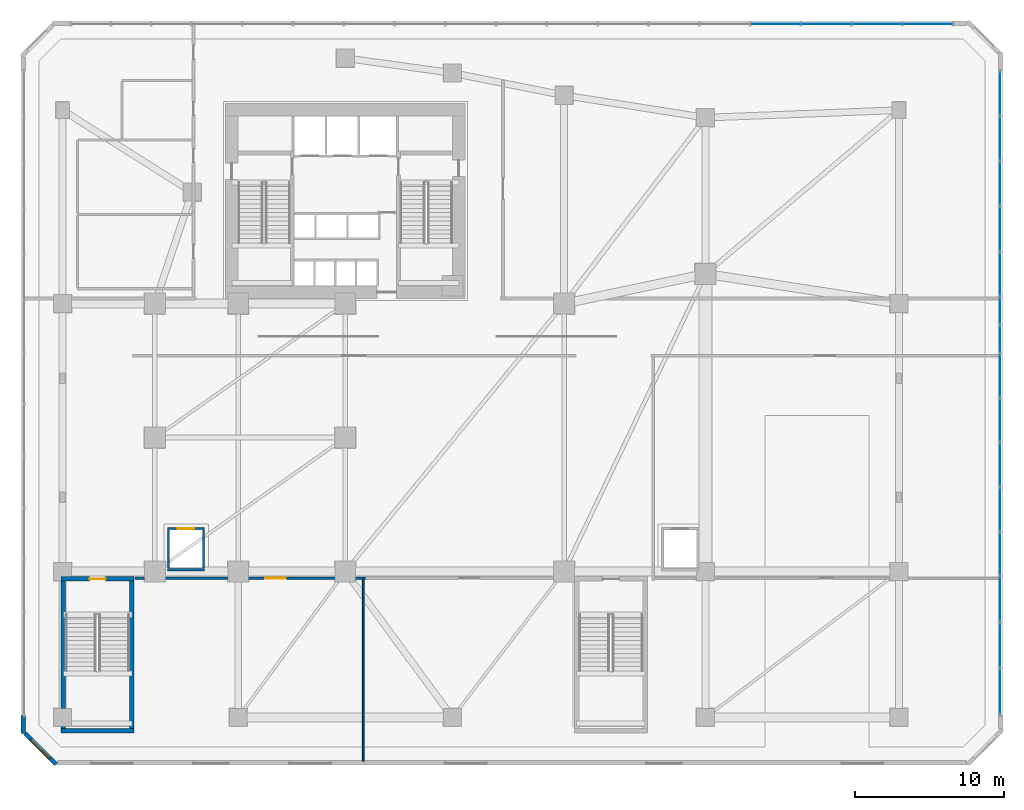
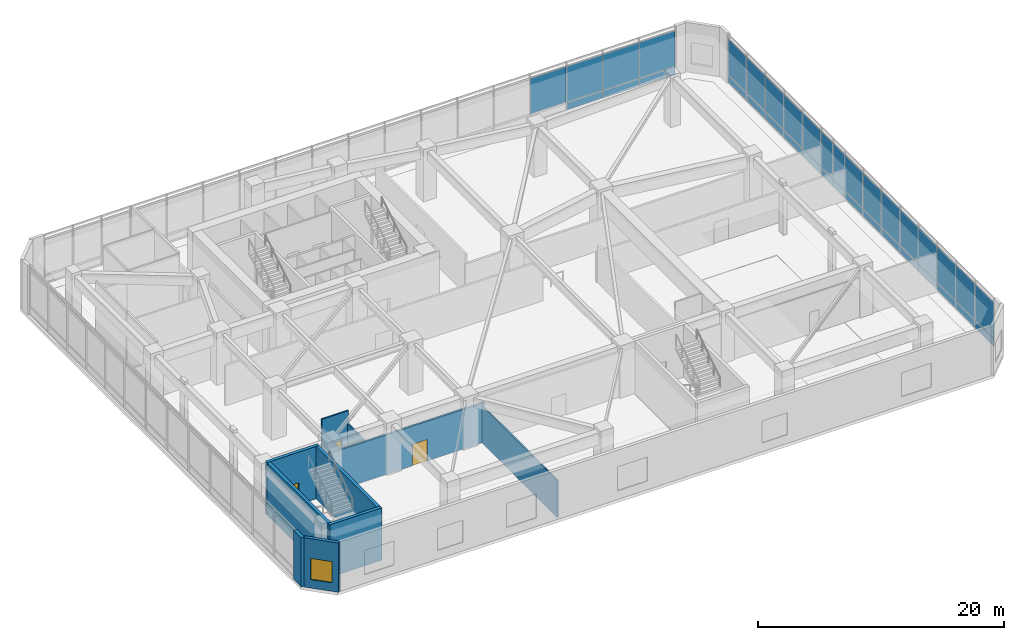
# One storey, part 9 of 16: 37 plates, 12 walls, 3 doors, 1 window, 4 openings, 2 elements without a shape of their own.
"""IFC4 building model written with IfcOpenShell, lengths in metres."""

from ifc_helpers import new_model, si_unit, direction, frame, frame_2d, origin, place, context, subcontext, project, spatial, rectangle, extrude, source, transform, mapped, material, layer, layer_set, type_object, element, fill, aggregate, save


model = new_model("IFC4")

# Units and contexts
model_context = context("Model", 3, precision=1e-05, world=origin(), true_north=direction((0.0, 1.0)))
body_context = subcontext(model_context, "Body", "Model", "MODEL_VIEW")
ifc_project = project(units=[si_unit("LENGTHUNIT", "METRE"), si_unit("AREAUNIT", "SQUARE_METRE"), si_unit("VOLUMEUNIT", "CUBIC_METRE"), si_unit("PLANEANGLEUNIT", "RADIAN"), si_unit("MASSUNIT", "GRAM", prefix="KILO")], contexts=[model_context])

# Site, building, storey
site_placement = place(None, origin())
site = spatial("IfcSite", under=ifc_project, at=site_placement, CompositionType="ELEMENT")
building_placement = place(site_placement, origin())
building = spatial("IfcBuilding", under=site, at=building_placement, Name="Calvemar Wedge Station Tower", CompositionType="ELEMENT")
storey_placement = place(building_placement, frame((0.0, 0.0, 6.0)))
storey = spatial("IfcBuildingStorey", under=building, at=storey_placement, Name="L02", CompositionType="ELEMENT", Elevation=6.0)

# Curtain wall, plates
ifc_material_1 = material(Name="Anodised aluminium 6063-T6", Category="aluminium")
curtain_wall_type = type_object("IfcCurtainWallType", Name="CW5", PredefinedType="NOTDEFINED", material=ifc_material_1)
curtain_wall_1_placement = place(storey_placement, origin())
curtain_wall_1 = element("IfcCurtainWall", 1, at=curtain_wall_1_placement, inside=storey, type_object=curtain_wall_type, Name="Storey L02 CW5 Recessed Unitised Curtain Wall 2", PredefinedType="NOTDEFINED")
ifc_material_2 = material(Name="Low-E laminated insulated glass", Category="glass")
ifc_layer_1 = layer(ifc_material_2, 0.028076171875)
ifc_layer_set_1 = layer_set([ifc_layer_1], Name="Low-E laminated insulated glass")
plate_type_1 = type_object("IfcPlateType", Name="CW5-GLZ", PredefinedType="CURTAIN_PANEL", material=ifc_layer_set_1)
plate_1_placement = place(storey_placement, frame((67.7900390625, 5.380126953125, 0.8701171875), z_axis=(0.0, 0.0, 1.0), x_axis=(0.0, 1.0, 0.0)))
plate_1 = element("IfcPlate", 2, at=plate_1_placement, type_object=plate_type_1, Name="CW5 vision glass panel 1", PredefinedType="CURTAIN_PANEL", context=body_context, shape_type="SweptSolid", body=[
    extrude(rectangle(XDim=3.0732421875, YDim=0.028076171875, at=frame_2d((1.53662109375, 0.0))), origin(), (0.0, 0.0, 1.0), 3.559814453125),
])
plate_2_placement = place(storey_placement, frame((67.7900390625, 8.489501953125, 0.8701171875), z_axis=(0.0, 0.0, 1.0), x_axis=(0.0, 1.0, 0.0)))
plate_2 = element("IfcPlate", 3, at=plate_2_placement, type_object=plate_type_1, Name="CW5 vision glass panel 2", PredefinedType="CURTAIN_PANEL", context=body_context, shape_type="SweptSolid", body=[
    extrude(rectangle(XDim=3.0732421875, YDim=0.028076171875, at=frame_2d((1.53662109375, 0.0))), origin(), (0.0, 0.0, 1.0), 3.559814453125),
])
plate_3_placement = place(storey_placement, frame((67.7900390625, 11.5986328125, 0.8701171875), z_axis=(0.0, 0.0, 1.0), x_axis=(0.0, 1.0, 0.0)))
plate_3 = element("IfcPlate", 4, at=plate_3_placement, type_object=plate_type_1, Name="CW5 vision glass panel 3", PredefinedType="CURTAIN_PANEL", context=body_context, shape_type="SweptSolid", body=[
    extrude(rectangle(XDim=3.073486328125, YDim=0.028076171875, at=frame_2d((1.53662109375, 0.0))), origin(), (0.0, 0.0, 1.0), 3.559814453125),
])
plate_4_placement = place(storey_placement, frame((67.7900390625, 14.7080078125, 0.8701171875), z_axis=(0.0, 0.0, 1.0), x_axis=(0.0, 1.0, 0.0)))
plate_4 = element("IfcPlate", 5, at=plate_4_placement, type_object=plate_type_1, Name="CW5 vision glass panel 4", PredefinedType="CURTAIN_PANEL", context=body_context, shape_type="SweptSolid", body=[
    extrude(rectangle(XDim=2.9541015625, YDim=0.028076171875, at=frame_2d((1.47705078125, 0.0))), origin(), (0.0, 0.0, 1.0), 3.559814453125),
])
plate_5_placement = place(storey_placement, frame((67.7900390625, 17.697998046875, 0.8701171875), z_axis=(0.0, 0.0, 1.0), x_axis=(0.0, 1.0, 0.0)))
plate_5 = element("IfcPlate", 6, at=plate_5_placement, type_object=plate_type_1, Name="CW5 vision glass panel 5", PredefinedType="CURTAIN_PANEL", context=body_context, shape_type="SweptSolid", body=[
    extrude(rectangle(XDim=2.9541015625, YDim=0.028076171875, at=frame_2d((1.47705078125, 0.0))), origin(), (0.0, 0.0, 1.0), 3.559814453125),
])
plate_6_placement = place(storey_placement, frame((67.7900390625, 20.68798828125, 0.8701171875), z_axis=(0.0, 0.0, 1.0), x_axis=(0.0, 1.0, 0.0)))
plate_6 = element("IfcPlate", 7, at=plate_6_placement, type_object=plate_type_1, Name="CW5 vision glass panel 6", PredefinedType="CURTAIN_PANEL", context=body_context, shape_type="SweptSolid", body=[
    extrude(rectangle(XDim=2.9541015625, YDim=0.028076171875, at=frame_2d((1.47705078125, 0.0))), origin(), (0.0, 0.0, 1.0), 3.559814453125),
])
plate_7_placement = place(storey_placement, frame((67.7900390625, 23.677978515625, 0.8701171875), z_axis=(0.0, 0.0, 1.0), x_axis=(0.0, 1.0, 0.0)))
plate_7 = element("IfcPlate", 8, at=plate_7_placement, type_object=plate_type_1, Name="CW5 vision glass panel 7", PredefinedType="CURTAIN_PANEL", context=body_context, shape_type="SweptSolid", body=[
    extrude(rectangle(XDim=2.9541015625, YDim=0.028076171875, at=frame_2d((1.47705078125, 0.0))), origin(), (0.0, 0.0, 1.0), 3.559814453125),
])
plate_8_placement = place(storey_placement, frame((67.7900390625, 26.66796875, 0.8701171875), z_axis=(0.0, 0.0, 1.0), x_axis=(0.0, 1.0, 0.0)))
plate_8 = element("IfcPlate", 9, at=plate_8_placement, type_object=plate_type_1, Name="CW5 vision glass panel 8", PredefinedType="CURTAIN_PANEL", context=body_context, shape_type="SweptSolid", body=[
    extrude(rectangle(XDim=2.9541015625, YDim=0.028076171875, at=frame_2d((1.47705078125, 0.0))), origin(), (0.0, 0.0, 1.0), 3.559814453125),
])
plate_9_placement = place(storey_placement, frame((67.7900390625, 29.657958984375, 0.8701171875), z_axis=(0.0, 0.0, 1.0), x_axis=(0.0, 1.0, 0.0)))
plate_9 = element("IfcPlate", 10, at=plate_9_placement, type_object=plate_type_1, Name="CW5 vision glass panel 9", PredefinedType="CURTAIN_PANEL", context=body_context, shape_type="SweptSolid", body=[
    extrude(rectangle(XDim=1.88916015625, YDim=0.028076171875, at=frame_2d((0.944580078125, 0.0))), origin(), (0.0, 0.0, 1.0), 3.559814453125),
])
plate_10_placement = place(storey_placement, frame((67.7900390625, 31.5830078125, 0.8701171875), z_axis=(0.0, 0.0, 1.0), x_axis=(0.0, 1.0, 0.0)))
plate_10 = element("IfcPlate", 11, at=plate_10_placement, type_object=plate_type_1, Name="CW5 vision glass panel 10", PredefinedType="CURTAIN_PANEL", context=body_context, shape_type="SweptSolid", body=[
    extrude(rectangle(XDim=1.888916015625, YDim=0.028076171875, at=frame_2d((0.9443359375, 0.0))), origin(), (0.0, 0.0, 1.0), 3.559814453125),
])
plate_11_placement = place(storey_placement, frame((67.7900390625, 33.508056640625, 0.8701171875), z_axis=(0.0, 0.0, 1.0), x_axis=(0.0, 1.0, 0.0)))
plate_11 = element("IfcPlate", 12, at=plate_11_placement, type_object=plate_type_1, Name="CW5 vision glass panel 11", PredefinedType="CURTAIN_PANEL", context=body_context, shape_type="SweptSolid", body=[
    extrude(rectangle(XDim=2.99365234375, YDim=0.028076171875, at=frame_2d((1.496826171875, 0.0))), origin(), (0.0, 0.0, 1.0), 3.559814453125),
])
plate_12_placement = place(storey_placement, frame((67.7900390625, 36.53759765625, 0.8701171875), z_axis=(0.0, 0.0, 1.0), x_axis=(0.0, 1.0, 0.0)))
plate_12 = element("IfcPlate", 13, at=plate_12_placement, type_object=plate_type_1, Name="CW5 vision glass panel 12", PredefinedType="CURTAIN_PANEL", context=body_context, shape_type="SweptSolid", body=[
    extrude(rectangle(XDim=2.99365234375, YDim=0.028076171875, at=frame_2d((1.496826171875, 0.0))), origin(), (0.0, 0.0, 1.0), 3.559814453125),
])
plate_13_placement = place(storey_placement, frame((67.7900390625, 39.567138671875, 0.8701171875), z_axis=(0.0, 0.0, 1.0), x_axis=(0.0, 1.0, 0.0)))
plate_13 = element("IfcPlate", 14, at=plate_13_placement, type_object=plate_type_1, Name="CW5 vision glass panel 13", PredefinedType="CURTAIN_PANEL", context=body_context, shape_type="SweptSolid", body=[
    extrude(rectangle(XDim=2.99365234375, YDim=0.028076171875, at=frame_2d((1.496826171875, 0.0))), origin(), (0.0, 0.0, 1.0), 3.559814453125),
])
plate_14_placement = place(storey_placement, frame((67.7900390625, 42.5966796875, 0.8701171875), z_axis=(0.0, 0.0, 1.0), x_axis=(0.0, 1.0, 0.0)))
plate_14 = element("IfcPlate", 15, at=plate_14_placement, type_object=plate_type_1, Name="CW5 vision glass panel 14", PredefinedType="CURTAIN_PANEL", context=body_context, shape_type="SweptSolid", body=[
    extrude(rectangle(XDim=2.99365234375, YDim=0.028076171875, at=frame_2d((1.496826171875, 0.0))), origin(), (0.0, 0.0, 1.0), 3.559814453125),
])
plate_15_placement = place(storey_placement, frame((67.7900390625, 45.626220703125, 0.8701171875), z_axis=(0.0, 0.0, 1.0), x_axis=(0.0, 1.0, 0.0)))
plate_15 = element("IfcPlate", 16, at=plate_15_placement, type_object=plate_type_1, Name="CW5 vision glass panel 15", PredefinedType="CURTAIN_PANEL", context=body_context, shape_type="SweptSolid", body=[
    extrude(rectangle(XDim=2.99365234375, YDim=0.028076171875, at=frame_2d((1.496826171875, 0.0))), origin(), (0.0, 0.0, 1.0), 3.559814453125),
])

curtain_wall_2_placement = place(storey_placement, origin())
curtain_wall_2 = element("IfcCurtainWall", 17, at=curtain_wall_2_placement, inside=storey, type_object=curtain_wall_type, Name="Storey L02 CW5 Recessed Unitised Curtain Wall 4", PredefinedType="NOTDEFINED")
plate_16_placement = place(storey_placement, frame((64.619873046875, 51.7900390625, 0.8701171875), z_axis=(0.0, 0.0, 1.0), x_axis=(-1.0, 0.0, 0.0)))
plate_16 = element("IfcPlate", 18, at=plate_16_placement, type_object=plate_type_1, Name="CW5 vision glass panel 1", PredefinedType="CURTAIN_PANEL", context=body_context, shape_type="SweptSolid", body=[
    extrude(rectangle(XDim=3.3759765625, YDim=0.028076171875, at=frame_2d((1.68798828125, 0.0))), origin(), (0.0, 0.0, 1.0), 3.559814453125),
])
plate_17_placement = place(storey_placement, frame((61.2080078125, 51.7900390625, 0.8701171875), z_axis=(0.0, 0.0, 1.0), x_axis=(-1.0, 0.0, 0.0)))
plate_17 = element("IfcPlate", 19, at=plate_17_placement, type_object=plate_type_1, Name="CW5 vision glass panel 2", PredefinedType="CURTAIN_PANEL", context=body_context, shape_type="SweptSolid", body=[
    extrude(rectangle(XDim=3.375732421875, YDim=0.028076171875, at=frame_2d((1.68798828125, 0.0))), origin(), (0.0, 0.0, 1.0), 3.559814453125),
])
plate_18_placement = place(storey_placement, frame((57.796142578125, 51.7900390625, 0.8701171875), z_axis=(0.0, 0.0, 1.0), x_axis=(-1.0, 0.0, 0.0)))
plate_18 = element("IfcPlate", 20, at=plate_18_placement, type_object=plate_type_1, Name="CW5 vision glass panel 3", PredefinedType="CURTAIN_PANEL", context=body_context, shape_type="SweptSolid", body=[
    extrude(rectangle(XDim=3.375732421875, YDim=0.028076171875, at=frame_2d((1.68798828125, 0.0))), origin(), (0.0, 0.0, 1.0), 3.559814453125),
])
plate_19_placement = place(storey_placement, frame((54.38427734375, 51.7900390625, 0.8701171875), z_axis=(0.0, 0.0, 1.0), x_axis=(-1.0, 0.0, 0.0)))
plate_19 = element("IfcPlate", 21, at=plate_19_placement, type_object=plate_type_1, Name="CW5 vision glass panel 4", PredefinedType="CURTAIN_PANEL", context=body_context, shape_type="SweptSolid", body=[
    extrude(rectangle(XDim=3.375732421875, YDim=0.028076171875, at=frame_2d((1.68798828125, 0.0))), origin(), (0.0, 0.0, 1.0), 3.559814453125),
])

# Plate
ifc_material_3 = material(Name="Oxidized bronze aluminium spandrel panel 5005-H24", Category="aluminium")
ifc_layer_2 = layer(ifc_material_3, 0.0400390625)
ifc_layer_set_2 = layer_set([ifc_layer_2], Name="Oxidized bronze aluminium spandrel panel 5005-H24")
plate_type_2 = type_object("IfcPlateType", Name="CW5-SPD", PredefinedType="SHEET", material=ifc_layer_set_2)
plate_20_placement = place(storey_placement, frame((67.7900390625, 5.380126953125, 0.080078125), z_axis=(0.0, 0.0, 1.0), x_axis=(0.0, 1.0, 0.0)))
plate_20 = element("IfcPlate", 22, at=plate_20_placement, type_object=plate_type_2, Name="CW5 bronze spandrel panel 1", PredefinedType="SHEET", context=body_context, shape_type="SweptSolid", body=[
    extrude(rectangle(XDim=3.0732421875, YDim=0.0400390625, at=frame_2d((1.53662109375, 0.0))), origin(), (0.0, 0.0, 1.0), 0.75),
])

plate_21_placement = place(storey_placement, frame((67.7900390625, 8.489501953125, 0.080078125), z_axis=(0.0, 0.0, 1.0), x_axis=(0.0, 1.0, 0.0)))
plate_21 = element("IfcPlate", 23, at=plate_21_placement, type_object=plate_type_2, Name="CW5 bronze spandrel panel 2", PredefinedType="SHEET", context=body_context, shape_type="SweptSolid", body=[
    extrude(rectangle(XDim=3.0732421875, YDim=0.0400390625, at=frame_2d((1.53662109375, 0.0))), origin(), (0.0, 0.0, 1.0), 0.75),
])

plate_22_placement = place(storey_placement, frame((67.7900390625, 11.5986328125, 0.080078125), z_axis=(0.0, 0.0, 1.0), x_axis=(0.0, 1.0, 0.0)))
plate_22 = element("IfcPlate", 24, at=plate_22_placement, type_object=plate_type_2, Name="CW5 bronze spandrel panel 3", PredefinedType="SHEET", context=body_context, shape_type="SweptSolid", body=[
    extrude(rectangle(XDim=3.073486328125, YDim=0.0400390625, at=frame_2d((1.53662109375, 0.0))), origin(), (0.0, 0.0, 1.0), 0.75),
])

plate_23_placement = place(storey_placement, frame((67.7900390625, 14.7080078125, 0.080078125), z_axis=(0.0, 0.0, 1.0), x_axis=(0.0, 1.0, 0.0)))
plate_23 = element("IfcPlate", 25, at=plate_23_placement, type_object=plate_type_2, Name="CW5 bronze spandrel panel 4", PredefinedType="SHEET", context=body_context, shape_type="SweptSolid", body=[
    extrude(rectangle(XDim=2.9541015625, YDim=0.0400390625, at=frame_2d((1.47705078125, 0.0))), origin(), (0.0, 0.0, 1.0), 0.75),
])

plate_24_placement = place(storey_placement, frame((67.7900390625, 17.697998046875, 0.080078125), z_axis=(0.0, 0.0, 1.0), x_axis=(0.0, 1.0, 0.0)))
plate_24 = element("IfcPlate", 26, at=plate_24_placement, type_object=plate_type_2, Name="CW5 bronze spandrel panel 5", PredefinedType="SHEET", context=body_context, shape_type="SweptSolid", body=[
    extrude(rectangle(XDim=2.9541015625, YDim=0.0400390625, at=frame_2d((1.47705078125, 0.0))), origin(), (0.0, 0.0, 1.0), 0.75),
])

plate_25_placement = place(storey_placement, frame((67.7900390625, 20.68798828125, 0.080078125), z_axis=(0.0, 0.0, 1.0), x_axis=(0.0, 1.0, 0.0)))
plate_25 = element("IfcPlate", 27, at=plate_25_placement, type_object=plate_type_2, Name="CW5 bronze spandrel panel 6", PredefinedType="SHEET", context=body_context, shape_type="SweptSolid", body=[
    extrude(rectangle(XDim=2.9541015625, YDim=0.0400390625, at=frame_2d((1.47705078125, 0.0))), origin(), (0.0, 0.0, 1.0), 0.75),
])

plate_26_placement = place(storey_placement, frame((67.7900390625, 23.677978515625, 0.080078125), z_axis=(0.0, 0.0, 1.0), x_axis=(0.0, 1.0, 0.0)))
plate_26 = element("IfcPlate", 28, at=plate_26_placement, type_object=plate_type_2, Name="CW5 bronze spandrel panel 7", PredefinedType="SHEET", context=body_context, shape_type="SweptSolid", body=[
    extrude(rectangle(XDim=2.9541015625, YDim=0.0400390625, at=frame_2d((1.47705078125, 0.0))), origin(), (0.0, 0.0, 1.0), 0.75),
])

plate_27_placement = place(storey_placement, frame((67.7900390625, 26.66796875, 0.080078125), z_axis=(0.0, 0.0, 1.0), x_axis=(0.0, 1.0, 0.0)))
plate_27 = element("IfcPlate", 29, at=plate_27_placement, type_object=plate_type_2, Name="CW5 bronze spandrel panel 8", PredefinedType="SHEET", context=body_context, shape_type="SweptSolid", body=[
    extrude(rectangle(XDim=2.9541015625, YDim=0.0400390625, at=frame_2d((1.47705078125, 0.0))), origin(), (0.0, 0.0, 1.0), 0.75),
])

plate_28_placement = place(storey_placement, frame((67.7900390625, 29.657958984375, 0.080078125), z_axis=(0.0, 0.0, 1.0), x_axis=(0.0, 1.0, 0.0)))
plate_28 = element("IfcPlate", 30, at=plate_28_placement, type_object=plate_type_2, Name="CW5 bronze spandrel panel 9", PredefinedType="SHEET", context=body_context, shape_type="SweptSolid", body=[
    extrude(rectangle(XDim=1.88916015625, YDim=0.0400390625, at=frame_2d((0.944580078125, 0.0))), origin(), (0.0, 0.0, 1.0), 0.75),
])

plate_29_placement = place(storey_placement, frame((67.7900390625, 31.5830078125, 0.080078125), z_axis=(0.0, 0.0, 1.0), x_axis=(0.0, 1.0, 0.0)))
plate_29 = element("IfcPlate", 31, at=plate_29_placement, type_object=plate_type_2, Name="CW5 bronze spandrel panel 10", PredefinedType="SHEET", context=body_context, shape_type="SweptSolid", body=[
    extrude(rectangle(XDim=1.888916015625, YDim=0.0400390625, at=frame_2d((0.9443359375, 0.0))), origin(), (0.0, 0.0, 1.0), 0.75),
])

plate_30_placement = place(storey_placement, frame((67.7900390625, 33.508056640625, 0.080078125), z_axis=(0.0, 0.0, 1.0), x_axis=(0.0, 1.0, 0.0)))
plate_30 = element("IfcPlate", 32, at=plate_30_placement, type_object=plate_type_2, Name="CW5 bronze spandrel panel 11", PredefinedType="SHEET", context=body_context, shape_type="SweptSolid", body=[
    extrude(rectangle(XDim=2.99365234375, YDim=0.0400390625, at=frame_2d((1.496826171875, 0.0))), origin(), (0.0, 0.0, 1.0), 0.75),
])

plate_31_placement = place(storey_placement, frame((67.7900390625, 36.53759765625, 0.080078125), z_axis=(0.0, 0.0, 1.0), x_axis=(0.0, 1.0, 0.0)))
plate_31 = element("IfcPlate", 33, at=plate_31_placement, type_object=plate_type_2, Name="CW5 bronze spandrel panel 12", PredefinedType="SHEET", context=body_context, shape_type="SweptSolid", body=[
    extrude(rectangle(XDim=2.99365234375, YDim=0.0400390625, at=frame_2d((1.496826171875, 0.0))), origin(), (0.0, 0.0, 1.0), 0.75),
])

plate_32_placement = place(storey_placement, frame((67.7900390625, 39.567138671875, 0.080078125), z_axis=(0.0, 0.0, 1.0), x_axis=(0.0, 1.0, 0.0)))
plate_32 = element("IfcPlate", 34, at=plate_32_placement, type_object=plate_type_2, Name="CW5 bronze spandrel panel 13", PredefinedType="SHEET", context=body_context, shape_type="SweptSolid", body=[
    extrude(rectangle(XDim=2.99365234375, YDim=0.0400390625, at=frame_2d((1.496826171875, 0.0))), origin(), (0.0, 0.0, 1.0), 0.75),
])

plate_33_placement = place(storey_placement, frame((67.7900390625, 42.5966796875, 0.080078125), z_axis=(0.0, 0.0, 1.0), x_axis=(0.0, 1.0, 0.0)))
plate_33 = element("IfcPlate", 35, at=plate_33_placement, type_object=plate_type_2, Name="CW5 bronze spandrel panel 14", PredefinedType="SHEET", context=body_context, shape_type="SweptSolid", body=[
    extrude(rectangle(XDim=2.99365234375, YDim=0.0400390625, at=frame_2d((1.496826171875, 0.0))), origin(), (0.0, 0.0, 1.0), 0.75),
])

plate_34_placement = place(storey_placement, frame((67.7900390625, 45.626220703125, 0.080078125), z_axis=(0.0, 0.0, 1.0), x_axis=(0.0, 1.0, 0.0)))
plate_34 = element("IfcPlate", 36, at=plate_34_placement, type_object=plate_type_2, Name="CW5 bronze spandrel panel 15", PredefinedType="SHEET", context=body_context, shape_type="SweptSolid", body=[
    extrude(rectangle(XDim=2.99365234375, YDim=0.0400390625, at=frame_2d((1.496826171875, 0.0))), origin(), (0.0, 0.0, 1.0), 0.75),
])

aggregate(curtain_wall_1, [plate_20, plate_1, plate_21, plate_2, plate_22, plate_3, plate_23, plate_4, plate_24, plate_5, plate_25, plate_6, plate_26, plate_7, plate_27, plate_8, plate_28, plate_9, plate_29, plate_10, plate_30, plate_11, plate_31, plate_12, plate_32, plate_13, plate_33, plate_14, plate_34, plate_15])

plate_35_placement = place(storey_placement, frame((64.619873046875, 51.7900390625, 0.080078125), z_axis=(0.0, 0.0, 1.0), x_axis=(-1.0, 0.0, 0.0)))
plate_35 = element("IfcPlate", 37, at=plate_35_placement, type_object=plate_type_2, Name="CW5 bronze spandrel panel 1", PredefinedType="SHEET", context=body_context, shape_type="SweptSolid", body=[
    extrude(rectangle(XDim=3.3759765625, YDim=0.0400390625, at=frame_2d((1.68798828125, 0.0))), origin(), (0.0, 0.0, 1.0), 0.75),
])

plate_36_placement = place(storey_placement, frame((61.2080078125, 51.7900390625, 0.080078125), z_axis=(0.0, 0.0, 1.0), x_axis=(-1.0, 0.0, 0.0)))
plate_36 = element("IfcPlate", 38, at=plate_36_placement, type_object=plate_type_2, Name="CW5 bronze spandrel panel 2", PredefinedType="SHEET", context=body_context, shape_type="SweptSolid", body=[
    extrude(rectangle(XDim=3.375732421875, YDim=0.0400390625, at=frame_2d((1.68798828125, 0.0))), origin(), (0.0, 0.0, 1.0), 0.75),
])

plate_37_placement = place(storey_placement, frame((57.796142578125, 51.7900390625, 0.080078125), z_axis=(0.0, 0.0, 1.0), x_axis=(-1.0, 0.0, 0.0)))
plate_37 = element("IfcPlate", 39, at=plate_37_placement, type_object=plate_type_2, Name="CW5 bronze spandrel panel 3", PredefinedType="SHEET", context=body_context, shape_type="SweptSolid", body=[
    extrude(rectangle(XDim=3.375732421875, YDim=0.0400390625, at=frame_2d((1.68798828125, 0.0))), origin(), (0.0, 0.0, 1.0), 0.75),
])

aggregate(curtain_wall_2, [plate_35, plate_16, plate_36, plate_17, plate_37, plate_18, plate_19])

# Walls
ifc_material_4 = material(Name="Concrete C50", Category="concrete")
ifc_layer_3 = layer(ifc_material_4, 0.300048828125)
ifc_layer_set_3 = layer_set([ifc_layer_3], Name="Concrete C50")
wall_type_1 = type_object("IfcWallType", Name="SW-CORE-300", PredefinedType="SHEAR", material=ifc_layer_set_3)
for number, where, z_axis, x_axis, name in (
    (40, (4.85009765625, 4.449951171875, 0.0), (0.0, 0.0, 1.0), (0.0, 1.0, 0.0), "Storey L02 Podium Stair STP1 Structural Wall W"),
    (41, (9.449951171875, 4.449951171875, 0.0), (0.0, 0.0, 1.0), (0.0, 1.0, 0.0), "Storey L02 Podium Stair STP1 Structural Wall E"),
):
    element("IfcWall", number, at=place(storey_placement, frame(where, z_axis=z_axis, x_axis=x_axis)), inside=storey, type_object=wall_type_1, Name=name, PredefinedType="SHEAR", context=body_context, shape_type="SweptSolid", body=[
        extrude(rectangle(XDim=9.900146484375, YDim=0.300048828125, at=frame_2d((4.9501953125, 0.0))), origin(), (0.0, 0.0, 1.0), 5.199951171875),
    ])
wall_1_placement = place(storey_placement, frame((4.699951171875, 4.300048828125, 0.0), z_axis=(0.0, 0.0, 1.0), x_axis=(1.0, 0.0, 0.0)))
element("IfcWall", 42, at=wall_1_placement, inside=storey, type_object=wall_type_1, Name="Storey L02 Podium Stair STP1 Structural Wall S", PredefinedType="SHEAR", context=body_context, shape_type="SweptSolid", body=[
    extrude(rectangle(XDim=4.900146484375, YDim=0.300048828125, at=frame_2d((2.4501953125, 0.0))), origin(), (0.0, 0.0, 1.0), 5.199951171875),
])

# Wall, opening, door
wall_2_placement = place(storey_placement, frame((4.699951171875, 14.5, 0.0), z_axis=(0.0, 0.0, 1.0), x_axis=(1.0, 0.0, 0.0)))
wall_2 = element("IfcWall", 43, at=wall_2_placement, inside=storey, type_object=wall_type_1, Name="Storey L02 Podium Stair STP1 Structural Wall N", PredefinedType="SHEAR", context=body_context, shape_type="SweptSolid", body=[
    extrude(rectangle(XDim=4.900146484375, YDim=0.300048828125, at=frame_2d((2.4501953125, 0.0))), origin(), (0.0, 0.0, 1.0), 5.199951171875),
])
shared_shape_1 = source(origin(), body_context, "Body", "SweptSolid", [
    extrude(rectangle(XDim=1.10009765625, YDim=2.14990234375, at=frame_2d((0.550048828125, 1.074951171875))), frame((0.0, 0.16015625, 0.0), z_axis=(0.0, -1.0, 0.0), x_axis=(1.0, 0.0, 0.0)), (0.0, 0.0, 1.0), 0.320068359375),
])
opening_1_placement = place(wall_2_placement, frame((1.89990234375, 0.0, 0.0)))
opening_1 = element("IfcOpeningElement", 44, at=opening_1_placement, cuts=wall_2, Name="Opening FD-90", PredefinedType="OPENING", context=body_context, shape_type="MappedRepresentation", body=[
    mapped(shared_shape_1, transform((0.0, 0.0, 0.0), scale=1.0)),
])
ifc_material_5 = material(Name="Galvanized fire-rated steel door leaf P-90", Category="steel")
door_type_1 = type_object("IfcDoorType", Name="DR-FD90-1100", OperationType="NOTDEFINED", PredefinedType="DOOR", material=ifc_material_5)
shared_shape_2 = source(origin(), body_context, "Body", "SweptSolid", [
    extrude(rectangle(XDim=1.10009765625, YDim=2.14990234375, at=frame_2d((0.550048828125, 1.074951171875))), frame((0.0, 0.02490234375, 0.0), z_axis=(0.0, -1.0, 0.0), x_axis=(1.0, 0.0, 0.0)), (0.0, 0.0, 1.0), 0.050048828125),
])
door_1_placement = place(opening_1_placement, origin())
door_1 = element("IfcDoor", 45, at=door_1_placement, inside=storey, type_object=door_type_1, Name="L02 Exit Stair ST-P1 Door", OperationType="SINGLE_SWING_RIGHT", OverallHeight=2.14990234375, OverallWidth=1.10009765625, PredefinedType="DOOR", context=body_context, shape_type="MappedRepresentation", body=[
    mapped(shared_shape_2, transform((0.0, 0.0, 0.0), scale=1.0)),
])
fill(opening_1, door_1)

ifc_material_6 = material(Name="Double-stud fire-rated corridor partition")
ifc_layer_4 = layer(ifc_material_6, 0.179931640625)
ifc_layer_set_4 = layer_set([ifc_layer_4], Name="Double-stud fire-rated corridor partition")
wall_type_2 = type_object("IfcWallType", Name="W-CORR-180", PredefinedType="PARTITIONING", material=ifc_layer_set_4)
wall_3_placement = place(storey_placement, frame((25.159912109375, 14.550048828125, 0.0), z_axis=(0.0, 0.0, 1.0), x_axis=(-1.0, 0.0, 0.0)))
wall_3 = element("IfcWall", 46, at=wall_3_placement, inside=storey, type_object=wall_type_2, Name="Storey L02 Interior Partition WL-L02-021", PredefinedType="PARTITIONING", context=body_context, shape_type="SweptSolid", body=[
    extrude(rectangle(XDim=15.489990234375, YDim=0.179931640625, at=frame_2d((7.7451171875, 0.0))), origin(), (0.0, 0.0, 1.0), 3.94189453125),
])
shared_shape_3 = source(origin(), body_context, "Body", "SweptSolid", [
    extrude(rectangle(XDim=1.39990234375, YDim=2.14990234375, at=frame_2d((0.699951171875, 1.074951171875))), frame((0.0, 0.10009765625, 0.0), z_axis=(0.0, -1.0, 0.0), x_axis=(1.0, 0.0, 0.0)), (0.0, 0.0, 1.0), 0.199951171875),
])
opening_2_placement = place(wall_3_placement, frame((5.353759765625, 0.0, 0.0)))
opening_2 = element("IfcOpeningElement", 47, at=opening_2_placement, cuts=wall_3, Name="Opening DD-140", PredefinedType="OPENING", context=body_context, shape_type="MappedRepresentation", body=[
    mapped(shared_shape_3, transform((0.0, 0.0, 0.0), scale=1.0)),
])
ifc_material_7 = material(Name="Double-leaf corridor acoustic fire door EI 60")
door_type_2 = type_object("IfcDoorType", Name="DR-DBL-1400", OperationType="DOUBLE_DOOR_SINGLE_SWING", PredefinedType="DOOR", material=ifc_material_7)
shared_shape_4 = source(origin(), body_context, "Body", "SweptSolid", [
    extrude(rectangle(XDim=1.39990234375, YDim=2.14990234375, at=frame_2d((0.699951171875, 1.074951171875))), frame((0.0, 0.02490234375, 0.0), z_axis=(0.0, -1.0, 0.0), x_axis=(1.0, 0.0, 0.0)), (0.0, 0.0, 1.0), 0.050048828125),
])
door_2_placement = place(opening_2_placement, origin())
door_2 = element("IfcDoor", 48, at=door_2_placement, inside=storey, type_object=door_type_2, Name="L02 Mezzanine Retail Shop 2 Door", OperationType="SINGLE_SWING_LEFT", OverallHeight=2.14990234375, OverallWidth=1.39990234375, PredefinedType="DOOR", context=body_context, shape_type="MappedRepresentation", body=[
    mapped(shared_shape_4, transform((0.0, 0.0, 0.0), scale=1.0)),
])
fill(opening_2, door_2)

# Wall
ifc_material_8 = material(Name="Precast concrete C45", Category="concrete")
ifc_layer_5 = layer(ifc_material_8, 0.300048828125)
ifc_layer_set_5 = layer_set([ifc_layer_5], Name="Precast concrete C45")
wall_type_3 = type_object("IfcWallType", Name="W-EXT-GFRC-300", PredefinedType="SOLIDWALL", material=ifc_layer_set_5)
wall_4_placement = place(storey_placement, frame((2.14990234375, 5.334716796875, 0.0), z_axis=(0.0, 0.0, 1.0), x_axis=(0.0, -1.0, 0.0)))
element("IfcWall", 49, at=wall_4_placement, inside=storey, type_object=wall_type_3, Name="Storey L02 Bronze GFRC Corner Pier 6B", PredefinedType="SOLIDWALL", context=body_context, shape_type="SweptSolid", body=[
    extrude(rectangle(XDim=1.22265625, YDim=0.300048828125, at=frame_2d((0.611328125, 0.0))), origin(), (0.0, 0.0, 1.0), 4.89990234375),
])

# Wall, opening, window
wall_5_placement = place(storey_placement, frame((2.2880859375, 4.1240234375, 0.0), z_axis=(0.0, 0.0, 1.0), x_axis=(0.707106781187, -0.707106781187, 0.0)))
wall_5 = element("IfcWall", 50, at=wall_5_placement, inside=storey, type_object=wall_type_3, Name="Storey L02 Bronze GFRC Exterior Wall 7", PredefinedType="SOLIDWALL", context=body_context, shape_type="SweptSolid", body=[
    extrude(rectangle(XDim=2.941650390625, YDim=0.300048828125, at=frame_2d((1.470703125, 0.0))), origin(), (0.0, 0.0, 1.0), 4.89990234375),
])
shared_shape_5 = source(origin(), body_context, "Body", "SweptSolid", [
    extrude(rectangle(XDim=1.800048828125, YDim=2.10009765625, at=frame_2d((0.89990234375, 1.050048828125))), frame((0.0, 0.16015625, 0.0), z_axis=(0.0, -1.0, 0.0), x_axis=(1.0, 0.0, 0.0)), (0.0, 0.0, 1.0), 0.320068359375),
])
opening_3_placement = place(wall_5_placement, frame((0.571044921875, 0.0, 0.85009765625)))
opening_3 = element("IfcOpeningElement", 51, at=opening_3_placement, cuts=wall_5, Name="Opening W2", PredefinedType="OPENING", context=body_context, shape_type="MappedRepresentation", body=[
    mapped(shared_shape_5, transform((0.0, 0.0, 0.0), scale=1.0)),
])
window_type = type_object("IfcWindowType", Name="WIN-EXT-2", PartitioningType="SINGLE_PANEL", PredefinedType="WINDOW", material=ifc_material_2)
shared_shape_6 = source(origin(), body_context, "Body", "SweptSolid", [
    extrude(rectangle(XDim=1.800048828125, YDim=2.10009765625, at=frame_2d((0.89990234375, 1.050048828125))), frame((0.0, -0.014892578125, 0.0), z_axis=(0.0, -1.0, 0.0), x_axis=(1.0, 0.0, 0.0)), (0.0, 0.0, 1.0), 0.06005859375),
])
window_placement = place(opening_3_placement, origin())
window = element("IfcWindow", 52, at=window_placement, inside=storey, type_object=window_type, Name="Storey L02 Recessed Window 7.1", OverallHeight=2.10009765625, OverallWidth=1.800048828125, PartitioningType="SINGLE_PANEL", PredefinedType="WINDOW", context=body_context, shape_type="MappedRepresentation", body=[
    mapped(shared_shape_6, transform((0.0, 0.0, 0.0), scale=1.0)),
])
fill(opening_3, window)

# Wall, opening, door
ifc_material_9 = material(Name="Reinforced concrete blockwork lift shaft wall", Category="masonry")
ifc_layer_6 = layer(ifc_material_9, 0.139892578125)
ifc_layer_set_6 = layer_set([ifc_layer_6], Name="Reinforced concrete blockwork lift shaft wall")
wall_type_4 = type_object("IfcWallType", Name="W-LIFT-160", PredefinedType="SOLIDWALL", material=ifc_layer_set_6)
wall_6_placement = place(storey_placement, frame((11.85009765625, 17.8798828125, 0.0), z_axis=(0.0, 0.0, 1.0), x_axis=(1.0, 0.0, 0.0)))
wall_6 = element("IfcWall", 53, at=wall_6_placement, inside=storey, type_object=wall_type_4, Name="Storey L02 Station Lift SL-01 Shaft Wall N", PredefinedType="SOLIDWALL", context=body_context, shape_type="SweptSolid", body=[
    extrude(rectangle(XDim=2.5, YDim=0.139892578125, at=frame_2d((1.25, 0.0))), origin(), (0.0, 0.0, 1.0), 4.89990234375),
])
shared_shape_7 = source(origin(), body_context, "Body", "SweptSolid", [
    extrude(rectangle(XDim=1.10009765625, YDim=2.14990234375, at=frame_2d((0.550048828125, 1.074951171875))), frame((0.0, 0.080078125, 0.0), z_axis=(0.0, -1.0, 0.0), x_axis=(1.0, 0.0, 0.0)), (0.0, 0.0, 1.0), 0.159912109375),
])
opening_4_placement = place(wall_6_placement, frame((0.699951171875, 0.0, 0.0)))
opening_4 = element("IfcOpeningElement", 54, at=opening_4_placement, cuts=wall_6, Name="Opening LD-STN", PredefinedType="OPENING", context=body_context, shape_type="MappedRepresentation", body=[
    mapped(shared_shape_7, transform((0.0, 0.0, 0.0), scale=1.0)),
])
ifc_material_10 = material(Name="Stainless steel transit lift sliding landing door", Category="steel")
door_type_3 = type_object("IfcDoorType", Name="DR-LD-PAX-1100", OperationType="SLIDING_TO_LEFT", PredefinedType="DOOR", material=ifc_material_10)
shared_shape_8 = source(origin(), body_context, "Body", "SweptSolid", [
    extrude(rectangle(XDim=1.10009765625, YDim=2.14990234375, at=frame_2d((0.550048828125, 1.074951171875))), frame((0.0, 0.02490234375, 0.0), z_axis=(0.0, -1.0, 0.0), x_axis=(1.0, 0.0, 0.0)), (0.0, 0.0, 1.0), 0.050048828125),
])
door_3_placement = place(opening_4_placement, origin())
door_3 = element("IfcDoor", 55, at=door_3_placement, inside=storey, type_object=door_type_3, Name="L02 Station Lift SL-01 Sliding Landing Door", OperationType="SLIDING_TO_LEFT", OverallHeight=2.14990234375, OverallWidth=1.10009765625, PredefinedType="DOOR", context=body_context, shape_type="MappedRepresentation", body=[
    mapped(shared_shape_8, transform((0.0, 0.0, 0.0), scale=1.0)),
])
fill(opening_4, door_3)

# Walls
wall_7_placement = place(storey_placement, frame((11.85009765625, 15.1201171875, 0.0), z_axis=(0.0, 0.0, 1.0), x_axis=(1.0, 0.0, 0.0)))
element("IfcWall", 56, at=wall_7_placement, inside=storey, type_object=wall_type_4, Name="Storey L02 Station Lift SL-01 Shaft Wall S", PredefinedType="SOLIDWALL", context=body_context, shape_type="SweptSolid", body=[
    extrude(rectangle(XDim=2.5, YDim=0.139892578125, at=frame_2d((1.25, 0.0))), origin(), (0.0, 0.0, 1.0), 3.69189453125),
])
for number, where, z_axis, x_axis, name in (
    (57, (11.919921875, 15.219970703125, 0.0), (0.0, 0.0, 1.0), (0.0, 1.0, 0.0), "Storey L02 Station Lift SL-01 Shaft Wall W"),
    (58, (14.280029296875, 15.219970703125, 0.0), (0.0, 0.0, 1.0), (0.0, 1.0, 0.0), "Storey L02 Station Lift SL-01 Shaft Wall E"),
):
    element("IfcWall", number, at=place(storey_placement, frame(where, z_axis=z_axis, x_axis=x_axis)), inside=storey, type_object=wall_type_4, Name=name, PredefinedType="SOLIDWALL", context=body_context, shape_type="SweptSolid", body=[
        extrude(rectangle(XDim=2.56005859375, YDim=0.139892578125, at=frame_2d((1.280029296875, 0.0))), origin(), (0.0, 0.0, 1.0), 3.69189453125),
    ])
ifc_material_11 = material(Name="Insulated acoustic gypsum stud partition")
ifc_layer_7 = layer(ifc_material_11, 0.125)
ifc_layer_set_7 = layer_set([ifc_layer_7], Name="Insulated acoustic gypsum stud partition")
wall_type_5 = type_object("IfcWallType", Name="W-PART-125", PredefinedType="PARTITIONING", material=ifc_layer_set_7)
wall_8_placement = place(storey_placement, frame((25.0, 14.4833984375, 0.0), z_axis=(0.0, 0.0, 1.0), x_axis=(0.0, -1.0, 0.0)))
element("IfcWall", 59, at=wall_8_placement, inside=storey, type_object=wall_type_5, Name="Storey L02 Interior Partition WL-L02-024", PredefinedType="PARTITIONING", context=body_context, shape_type="SweptSolid", body=[
    extrude(rectangle(XDim=12.218505859375, YDim=0.125, at=frame_2d((6.109375, 0.0))), origin(), (0.0, 0.0, 1.0), 3.69189453125),
])

save(model, "model.ifc")
